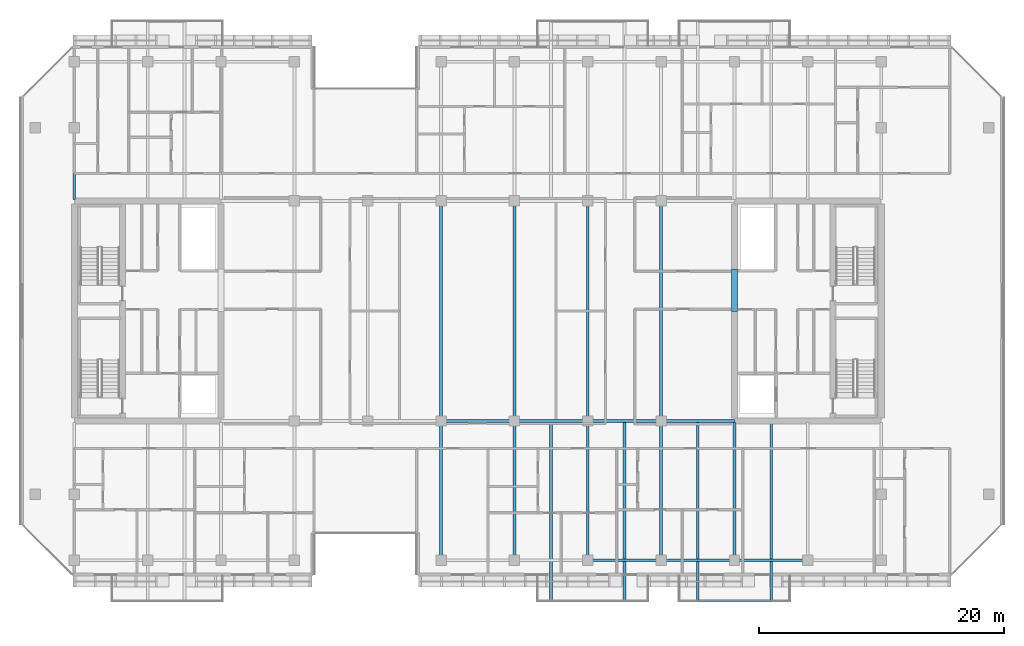
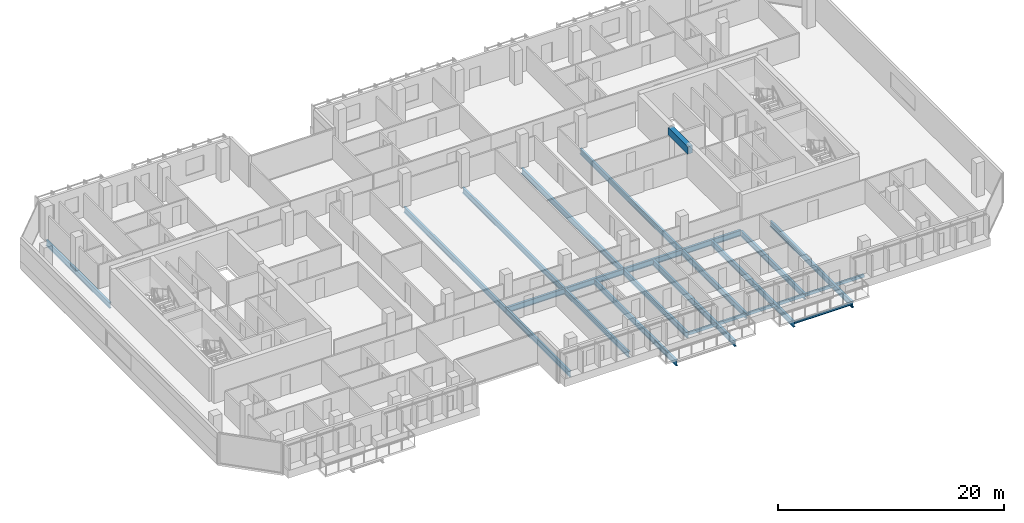
# One storey, part 7 of 31: 23 beams.
"""IFC4 building model written with IfcOpenShell, lengths in metres."""

import ifcopenshell
import ifcopenshell.guid

model = None  # the IFC model being written
_history = None  # IfcOwnerHistory: only IFC2X3 demands one
_inside = {}  # id of a spatial element -> (the spatial element, [elements in it])
_under = {}  # id of a project, library or spatial element -> (it, [spatial elements below it])
_declared = {}  # id of a project -> (the project, [libraries it declares])
_typed = {}  # id of a type object -> (the type object, [elements of that type])
_made_of = {}  # id of a material, layer set ... -> (it, [elements and type objects made of it])


def new_model(schema):
    """Start an empty IFC model of exactly this schema.

    Asked for "IFC4X3", IfcOpenShell would pick the latest addendum, in which some entities
    have other attributes; the version numbers below select the first issue.
    IFC2X3 requires an IfcOwnerHistory on every rooted entity: one is made here for all.
    """
    global model, _history
    if schema == "IFC4X3":
        model = ifcopenshell.file(schema_version=(4, 3, 0, 0))
    else:
        model = ifcopenshell.file(schema=schema)
    _inside.clear()
    _under.clear()
    _declared.clear()
    _typed.clear()
    _made_of.clear()
    _history = None
    if model.schema == "IFC2X3":
        org = make("IfcOrganization", Name="unknown")
        user = make(
            "IfcPersonAndOrganization",
            ThePerson=make("IfcPerson", FamilyName="unknown"),
            TheOrganization=org,
        )
        app = make(
            "IfcApplication",
            ApplicationDeveloper=org,
            Version="unknown",
            ApplicationFullName="unknown",
            ApplicationIdentifier="unknown",
        )
        _history = make(
            "IfcOwnerHistory",
            OwningUser=user,
            OwningApplication=app,
            ChangeAction="ADDED",
            CreationDate=0,
        )
    return model


def make(cls, **values):
    """One entity of the class cls with the attributes given. An attribute that is None is left unset."""
    return model.create_entity(
        cls, **{name: value for name, value in values.items() if value is not None}
    )


def rooted(cls, **values):
    """An entity with a GlobalId (a new one), such as an element, a storey or a relation."""
    return make(cls, GlobalId=ifcopenshell.guid.new(), OwnerHistory=_history, **values)


def si_unit(unit_type, name, prefix=None):
    """IfcSIUnit, for example si_unit("LENGTHUNIT", "METRE", prefix="MILLI")."""
    return make("IfcSIUnit", UnitType=unit_type, Prefix=prefix, Name=name)


def assignment(units):
    """IfcUnitAssignment: the units of a project."""
    return None if units is None else make("IfcUnitAssignment", Units=units)


def point(xyz):
    """IfcCartesianPoint."""
    return None if xyz is None else make("IfcCartesianPoint", Coordinates=xyz)


def direction(xyz):
    """IfcDirection."""
    return None if xyz is None else make("IfcDirection", DirectionRatios=xyz)


def frame(location, z_axis=None, x_axis=None):
    """IfcAxis2Placement3D, a coordinate frame: its origin and axes. An axis left out is left unset."""
    return make(
        "IfcAxis2Placement3D",
        Location=point(location),
        Axis=direction(z_axis),
        RefDirection=direction(x_axis),
    )


def frame_2d(location, x_axis=None):
    """IfcAxis2Placement2D, a coordinate frame in the plane: its origin and x axis."""
    return make(
        "IfcAxis2Placement2D", Location=point(location), RefDirection=direction(x_axis)
    )


def origin():
    """The frame at (0, 0, 0) with its axes left unset."""
    return frame((0.0, 0.0, 0.0))


def origin_2d():
    """The frame at (0, 0) in the plane with its x axis left unset."""
    return frame_2d((0.0, 0.0))


def place(relative_to, where):
    """IfcLocalPlacement: puts the frame where relative to a parent placement (None: the world)."""
    return make(
        "IfcLocalPlacement", PlacementRelTo=relative_to, RelativePlacement=where
    )


def context(
    kind, dimensions, precision=None, world=None, true_north=None, identifier=None
):
    """IfcGeometricRepresentationContext, for example the 3D "Model" context."""
    return make(
        "IfcGeometricRepresentationContext",
        ContextIdentifier=identifier,
        ContextType=kind,
        CoordinateSpaceDimension=dimensions,
        Precision=precision,
        WorldCoordinateSystem=world,
        TrueNorth=true_north,
    )


def subcontext(parent, identifier, kind, view, scale=None):
    """IfcGeometricRepresentationSubContext, for example "Body" below "Model"."""
    return make(
        "IfcGeometricRepresentationSubContext",
        ContextIdentifier=identifier,
        ContextType=kind,
        ParentContext=parent,
        TargetScale=scale,
        TargetView=view,
    )


def project(units=None, contexts=None):
    """IfcProject with its units and contexts."""
    return rooted(
        "IfcProject",
        Name="project",
        RepresentationContexts=contexts,
        UnitsInContext=assignment(units),
    )


def spatial(cls, under=None, at=None, **own):
    """A site, building, storey or space (cls), placed at a placement, below another one or the project."""
    s = rooted(cls, ObjectPlacement=at, **own)
    if under is not None:
        _under.setdefault(under.id(), (under, []))[1].append(s)
    return s


def profile(cls, at=None, kind="AREA", **sizes):
    """A parametric profile (cls). Its sizes go by their IFC names, for example OverallWidth=200.0."""
    return make(cls, ProfileType=kind, Position=at, **sizes)


def rectangle(**sizes):
    """IfcRectangleProfileDef."""
    return profile("IfcRectangleProfileDef", **sizes)


def hollow_rectangle(**sizes):
    """IfcRectangleHollowProfileDef."""
    return profile("IfcRectangleHollowProfileDef", **sizes)


def i_section(**sizes):
    """IfcIShapeProfileDef."""
    return profile("IfcIShapeProfileDef", **sizes)


def extrude(swept, where, along, depth):
    """IfcExtrudedAreaSolid: the profile swept, set in the frame where, extruded along a direction by depth."""
    return make(
        "IfcExtrudedAreaSolid",
        SweptArea=swept,
        Position=where,
        ExtrudedDirection=direction(along),
        Depth=depth,
    )


def shape(context_of_items, identifier, shape_type, items):
    """IfcShapeRepresentation: the items that make up one representation, for example the "Body"."""
    return make(
        "IfcShapeRepresentation",
        ContextOfItems=context_of_items,
        RepresentationIdentifier=identifier,
        RepresentationType=shape_type,
        Items=items,
    )


def material(Name=None, Category=None):
    """IfcMaterial."""
    return make("IfcMaterial", Name=Name, Category=Category)


def material_profile(
    of_material, cross_section, Name=None, Category=None, Priority=None
):
    """IfcMaterialProfile: a cross section and its material."""
    return make(
        "IfcMaterialProfile",
        Name=Name,
        Material=of_material,
        Profile=cross_section,
        Priority=Priority,
        Category=Category,
    )


def profile_set(profiles, Name=None, composite=None):
    """IfcMaterialProfileSet."""
    return make(
        "IfcMaterialProfileSet",
        Name=Name,
        MaterialProfiles=profiles,
        CompositeProfile=composite,
    )


def made_of(thing, what):
    """Note that an element or type object is made of a material, layer set ...; save() writes the relation."""
    if what is not None:
        _made_of.setdefault(what.id(), (what, []))[1].append(thing)
    return thing


def type_object(cls, material=None, **own):
    """A type object (cls), such as IfcWallType, which elements share."""
    return made_of(rooted(cls, **own), material)


def element(
    cls,
    number,
    at=None,
    inside=None,
    cuts=None,
    type_object=None,
    material=None,
    context=None,
    identifier="Body",
    shape_type=None,
    held_by="IfcProductDefinitionShape",
    body=None,
    shapes=None,
    **own,
):
    """One element of the class cls, such as IfcWall. Its Tag is "e" and its number.

    at: its placement. inside: the storey or other place that contains it. cuts: it is an
    opening in that element (IfcRelVoidsElement). A single representation is given by context,
    identifier, shape_type and body (its items); several are given by shapes. held_by: the class
    of the entity that holds the representations. save() writes the other relations.
    """
    e = rooted(cls, Tag="e%d" % number, ObjectPlacement=at, **own)
    if body is not None:
        shapes = [shape(context, identifier, shape_type, body)]
    if shapes is not None:
        e.Representation = make(held_by, Representations=shapes)
    if inside is not None:
        _inside.setdefault(inside.id(), (inside, []))[1].append(e)
    if cuts is not None:
        rooted(
            "IfcRelVoidsElement", RelatingBuildingElement=cuts, RelatedOpeningElement=e
        )
    if type_object is not None:
        _typed.setdefault(type_object.id(), (type_object, []))[1].append(e)
    return made_of(e, material)


def aggregate(whole, parts):
    """IfcRelAggregates: a whole, such as a stair, and the parts it consists of."""
    return rooted("IfcRelAggregates", RelatingObject=whole, RelatedObjects=parts)


def save(model, path):
    """Write the relations noted so far, then the file.

    IfcRelAggregates (storeys below a building ...), IfcRelContainedInSpatialStructure (elements
    in a storey), IfcRelDefinesByType, IfcRelAssociatesMaterial and IfcRelDeclares: one each for
    every whole, place, type object, material and project.
    """
    for whole, parts in _under.values():
        aggregate(whole, parts)
    for where, things in _inside.values():
        rooted(
            "IfcRelContainedInSpatialStructure",
            RelatedElements=things,
            RelatingStructure=where,
        )
    for kind, things in _typed.values():
        rooted("IfcRelDefinesByType", RelatedObjects=things, RelatingType=kind)
    for what, things in _made_of.values():
        rooted("IfcRelAssociatesMaterial", RelatedObjects=things, RelatingMaterial=what)
    for by, libraries in _declared.values():
        rooted("IfcRelDeclares", RelatingContext=by, RelatedDefinitions=libraries)
    model.write(path)


model = new_model("IFC4")

# Units and contexts
model_context = context("Model", 3, precision=1e-05, world=origin(), true_north=direction((0.0, 1.0)))
body_context = subcontext(model_context, "Body", "Model", "MODEL_VIEW")
ifc_project = project(units=[si_unit("LENGTHUNIT", "METRE"), si_unit("AREAUNIT", "SQUARE_METRE"), si_unit("VOLUMEUNIT", "CUBIC_METRE"), si_unit("PLANEANGLEUNIT", "RADIAN"), si_unit("MASSUNIT", "GRAM", prefix="KILO")], contexts=[model_context])

# Site, building, storey
site_placement = place(None, origin())
site = spatial("IfcSite", under=ifc_project, at=site_placement, CompositionType="ELEMENT")
building_placement = place(site_placement, origin())
building = spatial("IfcBuilding", under=site, at=building_placement, Name="Tanjung Sevakor Pilgrim Tower", CompositionType="ELEMENT")
storey_placement = place(building_placement, frame((0.0, 0.0, 169.2900390625)))
storey = spatial("IfcBuildingStorey", under=building, at=storey_placement, Name="L47", CompositionType="ELEMENT", Elevation=169.2900390625)

# Beams
ifc_material_1 = material(Name="Steel S355J2", Category="steel")
ifc_material_profile_1 = material_profile(ifc_material_1, i_section(OverallWidth=0.230224609375, OverallDepth=0.6171875, WebThickness=0.01318359375, FlangeThickness=0.022216796875, FilletRadius=0.0126953125, at=origin_2d()))
ifc_profile_set_1 = profile_set([ifc_material_profile_1], Name="Steel S355J2")
beam_type_1 = type_object("IfcBeamType", Name="BM-B-G3-UB_610x229x140", PredefinedType="BEAM", material=ifc_profile_set_1)
for number, where, z_axis, x_axis, name in (
    (1, (54.0, 24.60009765625, -0.528564453125), (1.0, 0.0, 0.0), (0.0, 1.0, 0.0), "L47 Primary Floor Girder MAIN Y246-04"),
    (2, (60.0, 24.60009765625, -0.528564453125), (1.0, 0.0, 0.0), (0.0, 1.0, 0.0), "L47 Primary Floor Girder MAIN Y246-05"),
    (3, (66.0, 24.60009765625, -0.528564453125), (1.0, 0.0, 0.0), (0.0, 1.0, 0.0), "L47 Primary Floor Girder MAIN Y246-06"),
    (4, (72.0, 24.60009765625, -0.528564453125), (1.0, 0.0, 0.0), (0.0, 1.0, 0.0), "L47 Primary Floor Girder MAIN Y246-07"),
):
    element("IfcBeam", number, at=place(storey_placement, frame(where, z_axis=z_axis, x_axis=x_axis)), inside=storey, type_object=beam_type_1, Name=name, PredefinedType="BEAM", context=body_context, shape_type="SweptSolid", body=[
        extrude(i_section(OverallWidth=0.230224609375, OverallDepth=0.6171875, WebThickness=0.01318359375, FlangeThickness=0.022216796875, FilletRadius=0.0126953125, at=origin_2d()), origin(), (0.0, 0.0, 1.0), 6.0),
    ])
ifc_material_2 = material(Name="Steel S355J2", Category="steel")
ifc_material_profile_2 = material_profile(ifc_material_2, i_section(OverallWidth=0.22900390625, OverallDepth=0.6123046875, WebThickness=0.011962890625, FlangeThickness=0.01953125, FilletRadius=0.0126953125, at=origin_2d()))
ifc_profile_set_2 = profile_set([ifc_material_profile_2], Name="Steel S355J2")
beam_type_2 = type_object("IfcBeamType", Name="BM-B-G4-UB_610x229x125", PredefinedType="BEAM", material=ifc_profile_set_2)
beam_1_placement = place(storey_placement, frame((24.0, 42.715087890625, -0.526123046875), z_axis=(0.0, 1.0, 0.0), x_axis=(-1.0, 0.0, 0.0)))
element("IfcBeam", 5, at=beam_1_placement, inside=storey, type_object=beam_type_2, Name="L47 MAIN Girder 002", PredefinedType="BEAM", context=body_context, shape_type="SweptSolid", body=[
    extrude(i_section(OverallWidth=0.22900390625, OverallDepth=0.6123046875, WebThickness=0.011962890625, FlangeThickness=0.01953125, FilletRadius=0.0126953125, at=origin_2d()), origin(), (0.0, 0.0, 1.0), 11.284912109375),
])
beam_2_placement = place(storey_placement, frame((54.0, 13.199951171875, -0.526123046875), z_axis=(0.0, 1.0, 0.0), x_axis=(-1.0, 0.0, 0.0)))
element("IfcBeam", 6, at=beam_2_placement, inside=storey, type_object=beam_type_2, Name="L47 MAIN Girder 009", PredefinedType="BEAM", context=body_context, shape_type="SweptSolid", body=[
    extrude(i_section(OverallWidth=0.22900390625, OverallDepth=0.6123046875, WebThickness=0.011962890625, FlangeThickness=0.01953125, FilletRadius=0.0126953125, at=origin_2d()), origin(), (0.0, 0.0, 1.0), 11.400146484375),
])
beam_3_placement = place(storey_placement, frame((54.0, 24.60009765625, -0.526123046875), z_axis=(0.0, 1.0, 0.0), x_axis=(-1.0, 0.0, 0.0)))
element("IfcBeam", 7, at=beam_3_placement, inside=storey, type_object=beam_type_2, Name="L47 MAIN Girder 010", PredefinedType="BEAM", context=body_context, shape_type="SweptSolid", body=[
    extrude(i_section(OverallWidth=0.22900390625, OverallDepth=0.6123046875, WebThickness=0.011962890625, FlangeThickness=0.01953125, FilletRadius=0.0126953125, at=origin_2d()), origin(), (0.0, 0.0, 1.0), 18.0),
])
beam_4_placement = place(storey_placement, frame((60.0, 13.199951171875, -0.526123046875), z_axis=(0.0, 1.0, 0.0), x_axis=(-1.0, 0.0, 0.0)))
element("IfcBeam", 8, at=beam_4_placement, inside=storey, type_object=beam_type_2, Name="L47 MAIN Girder 012", PredefinedType="BEAM", context=body_context, shape_type="SweptSolid", body=[
    extrude(i_section(OverallWidth=0.22900390625, OverallDepth=0.6123046875, WebThickness=0.011962890625, FlangeThickness=0.01953125, FilletRadius=0.0126953125, at=origin_2d()), origin(), (0.0, 0.0, 1.0), 11.400146484375),
])
beam_5_placement = place(storey_placement, frame((60.0, 24.60009765625, -0.526123046875), z_axis=(0.0, 1.0, 0.0), x_axis=(-1.0, 0.0, 0.0)))
element("IfcBeam", 9, at=beam_5_placement, inside=storey, type_object=beam_type_2, Name="L47 MAIN Girder 013", PredefinedType="BEAM", context=body_context, shape_type="SweptSolid", body=[
    extrude(i_section(OverallWidth=0.22900390625, OverallDepth=0.6123046875, WebThickness=0.011962890625, FlangeThickness=0.01953125, FilletRadius=0.0126953125, at=origin_2d()), origin(), (0.0, 0.0, 1.0), 18.0),
])
beam_6_placement = place(storey_placement, frame((63.0, 24.48486328125, -0.526123046875), z_axis=(0.0, -1.0, 0.0), x_axis=(1.0, 0.0, 0.0)))
element("IfcBeam", 10, at=beam_6_placement, inside=storey, type_object=beam_type_2, Name="L47 Balcony Cantilever Beam MAIN-S2-1", PredefinedType="BEAM", context=body_context, shape_type="SweptSolid", body=[
    extrude(i_section(OverallWidth=0.22900390625, OverallDepth=0.6123046875, WebThickness=0.011962890625, FlangeThickness=0.01953125, FilletRadius=0.0126953125, at=origin_2d()), origin(), (0.0, 0.0, 1.0), 14.56494140625),
])
beam_7_placement = place(storey_placement, frame((66.0, 13.199951171875, -0.526123046875), z_axis=(0.0, 1.0, 0.0), x_axis=(-1.0, 0.0, 0.0)))
element("IfcBeam", 11, at=beam_7_placement, inside=storey, type_object=beam_type_2, Name="L47 MAIN Girder 015", PredefinedType="BEAM", context=body_context, shape_type="SweptSolid", body=[
    extrude(i_section(OverallWidth=0.22900390625, OverallDepth=0.6123046875, WebThickness=0.011962890625, FlangeThickness=0.01953125, FilletRadius=0.0126953125, at=origin_2d()), origin(), (0.0, 0.0, 1.0), 11.400146484375),
])
beam_8_placement = place(storey_placement, frame((66.0, 24.60009765625, -0.526123046875), z_axis=(0.0, 1.0, 0.0), x_axis=(-1.0, 0.0, 0.0)))
element("IfcBeam", 12, at=beam_8_placement, inside=storey, type_object=beam_type_2, Name="L47 MAIN Girder 016", PredefinedType="BEAM", context=body_context, shape_type="SweptSolid", body=[
    extrude(i_section(OverallWidth=0.22900390625, OverallDepth=0.6123046875, WebThickness=0.011962890625, FlangeThickness=0.01953125, FilletRadius=0.0126953125, at=origin_2d()), origin(), (0.0, 0.0, 1.0), 18.0),
])
beam_9_placement = place(storey_placement, frame((69.0, 24.48486328125, -0.526123046875), z_axis=(0.0, -1.0, 0.0), x_axis=(1.0, 0.0, 0.0)))
element("IfcBeam", 13, at=beam_9_placement, inside=storey, type_object=beam_type_2, Name="L47 Balcony Cantilever Beam MAIN-S2-2", PredefinedType="BEAM", context=body_context, shape_type="SweptSolid", body=[
    extrude(i_section(OverallWidth=0.22900390625, OverallDepth=0.6123046875, WebThickness=0.011962890625, FlangeThickness=0.01953125, FilletRadius=0.0126953125, at=origin_2d()), origin(), (0.0, 0.0, 1.0), 14.56494140625),
])
beam_10_placement = place(storey_placement, frame((72.0, 13.199951171875, -0.526123046875), z_axis=(0.0, 1.0, 0.0), x_axis=(-1.0, 0.0, 0.0)))
element("IfcBeam", 14, at=beam_10_placement, inside=storey, type_object=beam_type_2, Name="L47 MAIN Girder 018", PredefinedType="BEAM", context=body_context, shape_type="SweptSolid", body=[
    extrude(i_section(OverallWidth=0.22900390625, OverallDepth=0.6123046875, WebThickness=0.011962890625, FlangeThickness=0.01953125, FilletRadius=0.0126953125, at=origin_2d()), origin(), (0.0, 0.0, 1.0), 11.400146484375),
])
beam_11_placement = place(storey_placement, frame((72.0, 24.60009765625, -0.526123046875), z_axis=(0.0, 1.0, 0.0), x_axis=(-1.0, 0.0, 0.0)))
element("IfcBeam", 15, at=beam_11_placement, inside=storey, type_object=beam_type_2, Name="L47 MAIN Girder 019", PredefinedType="BEAM", context=body_context, shape_type="SweptSolid", body=[
    extrude(i_section(OverallWidth=0.22900390625, OverallDepth=0.6123046875, WebThickness=0.011962890625, FlangeThickness=0.01953125, FilletRadius=0.0126953125, at=origin_2d()), origin(), (0.0, 0.0, 1.0), 18.0),
])
beam_12_placement = place(storey_placement, frame((75.0, 24.48486328125, -0.526123046875), z_axis=(0.0, -1.0, 0.0), x_axis=(1.0, 0.0, 0.0)))
element("IfcBeam", 16, at=beam_12_placement, inside=storey, type_object=beam_type_2, Name="L47 Balcony Cantilever Beam MAIN-S3-1", PredefinedType="BEAM", context=body_context, shape_type="SweptSolid", body=[
    extrude(i_section(OverallWidth=0.22900390625, OverallDepth=0.6123046875, WebThickness=0.011962890625, FlangeThickness=0.01953125, FilletRadius=0.0126953125, at=origin_2d()), origin(), (0.0, 0.0, 1.0), 14.56494140625),
])
beam_13_placement = place(storey_placement, frame((78.0, 13.199951171875, -0.526123046875), z_axis=(0.0, 1.0, 0.0), x_axis=(-1.0, 0.0, 0.0)))
element("IfcBeam", 17, at=beam_13_placement, inside=storey, type_object=beam_type_2, Name="L47 MAIN Girder 021", PredefinedType="BEAM", context=body_context, shape_type="SweptSolid", body=[
    extrude(i_section(OverallWidth=0.22900390625, OverallDepth=0.6123046875, WebThickness=0.011962890625, FlangeThickness=0.01953125, FilletRadius=0.0126953125, at=origin_2d()), origin(), (0.0, 0.0, 1.0), 11.284912109375),
])
beam_14_placement = place(storey_placement, frame((81.0, 24.48486328125, -0.526123046875), z_axis=(0.0, -1.0, 0.0), x_axis=(1.0, 0.0, 0.0)))
element("IfcBeam", 18, at=beam_14_placement, inside=storey, type_object=beam_type_2, Name="L47 Balcony Cantilever Beam MAIN-S3-2", PredefinedType="BEAM", context=body_context, shape_type="SweptSolid", body=[
    extrude(i_section(OverallWidth=0.22900390625, OverallDepth=0.6123046875, WebThickness=0.011962890625, FlangeThickness=0.01953125, FilletRadius=0.0126953125, at=origin_2d()), origin(), (0.0, 0.0, 1.0), 14.56494140625),
])
ifc_material_3 = material(Name="Steel S355J2", Category="steel")
ifc_material_profile_3 = material_profile(ifc_material_3, i_section(OverallWidth=0.146484375, OverallDepth=0.256103515625, WebThickness=0.00634765625, FlangeThickness=0.010986328125, FilletRadius=0.007568359375, at=origin_2d()))
ifc_profile_set_3 = profile_set([ifc_material_profile_3], Name="Steel S355J2")
beam_type_3 = type_object("IfcBeamType", Name="BM-B-J6-UB_254x146x37", PredefinedType="JOIST", material=ifc_profile_set_3)
beam_15_placement = place(storey_placement, frame((75.0, 9.919921875, -0.328125), z_axis=(1.0, 0.0, 0.0), x_axis=(0.0, 1.0, 0.0)))
element("IfcBeam", 19, at=beam_15_placement, inside=storey, type_object=beam_type_3, Name="L47 Balcony Rim Tie MAIN-S3", PredefinedType="JOIST", context=body_context, shape_type="SweptSolid", body=[
    extrude(i_section(OverallWidth=0.146484375, OverallDepth=0.256103515625, WebThickness=0.00634765625, FlangeThickness=0.010986328125, FilletRadius=0.007568359375, at=origin_2d()), origin(), (0.0, 0.0, 1.0), 6.0),
])
ifc_material_4 = material(Name="Concrete C60/75", Category="concrete")
ifc_material_profile_4 = material_profile(ifc_material_4, rectangle(XDim=0.5, YDim=0.800048828125, at=origin_2d()))
ifc_profile_set_4 = profile_set([ifc_material_profile_4], Name="Concrete C60/75")
beam_type_4 = type_object("IfcBeamType", Name="BM-B-LN2-RC-BM_500x800", PredefinedType="LINTEL", material=ifc_profile_set_4)
beam_16_placement = place(storey_placement, frame((78.0, 33.550048828125, 2.949951171875), z_axis=(0.0, 1.0, 0.0), x_axis=(-1.0, 0.0, 0.0)))
element("IfcBeam", 20, at=beam_16_placement, inside=storey, type_object=beam_type_4, Name="L47 E Core Coupling Lintel", PredefinedType="LINTEL", context=body_context, shape_type="SweptSolid", body=[
    extrude(rectangle(XDim=0.5, YDim=0.800048828125, at=origin_2d()), origin(), (0.0, 0.0, 1.0), 3.5),
])
ifc_material_5 = material(Name="Steel S355J2", Category="steel")
ifc_material_profile_5 = material_profile(ifc_material_5, hollow_rectangle(XDim=0.199951171875, YDim=0.300048828125, WallThickness=0.012451171875, at=origin_2d()))
ifc_profile_set_5 = profile_set([ifc_material_profile_5], Name="Steel S355J2")
beam_type_5 = type_object("IfcBeamType", Name="BM-B-SP3-RHS_300x200x12.5", PredefinedType="SPANDREL", material=ifc_profile_set_5)
for number, where, z_axis, x_axis, name in (
    (21, (66.0, 13.199951171875, -0.3701171875), (1.0, 0.0, 0.0), (0.0, 1.0, 0.0), "L47 Spandrel MAIN S-11"),
    (22, (72.0, 13.199951171875, -0.3701171875), (1.0, 0.0, 0.0), (0.0, 1.0, 0.0), "L47 Spandrel MAIN S-13"),
    (23, (78.0, 13.199951171875, -0.3701171875), (1.0, 0.0, 0.0), (0.0, 1.0, 0.0), "L47 Spandrel MAIN S-15"),
):
    element("IfcBeam", number, at=place(storey_placement, frame(where, z_axis=z_axis, x_axis=x_axis)), inside=storey, type_object=beam_type_5, Name=name, PredefinedType="SPANDREL", context=body_context, shape_type="SweptSolid", body=[
        extrude(hollow_rectangle(XDim=0.199951171875, YDim=0.300048828125, WallThickness=0.012451171875, at=origin_2d()), origin(), (0.0, 0.0, 1.0), 6.0),
    ])

save(model, "model.ifc")
